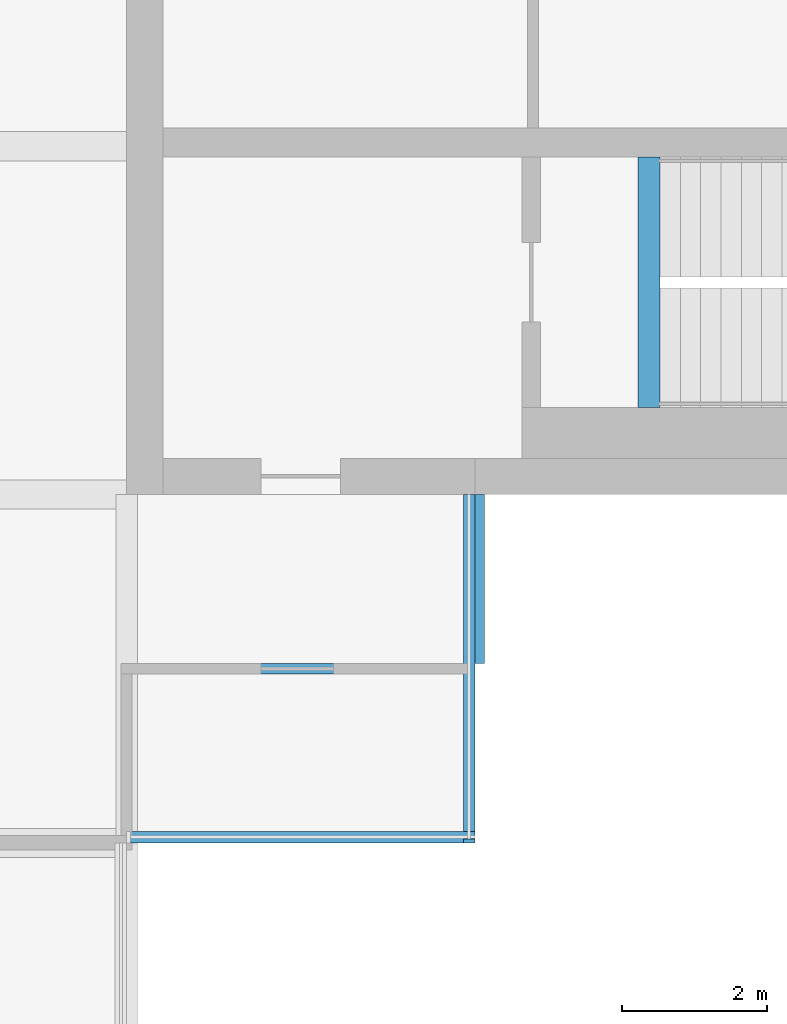
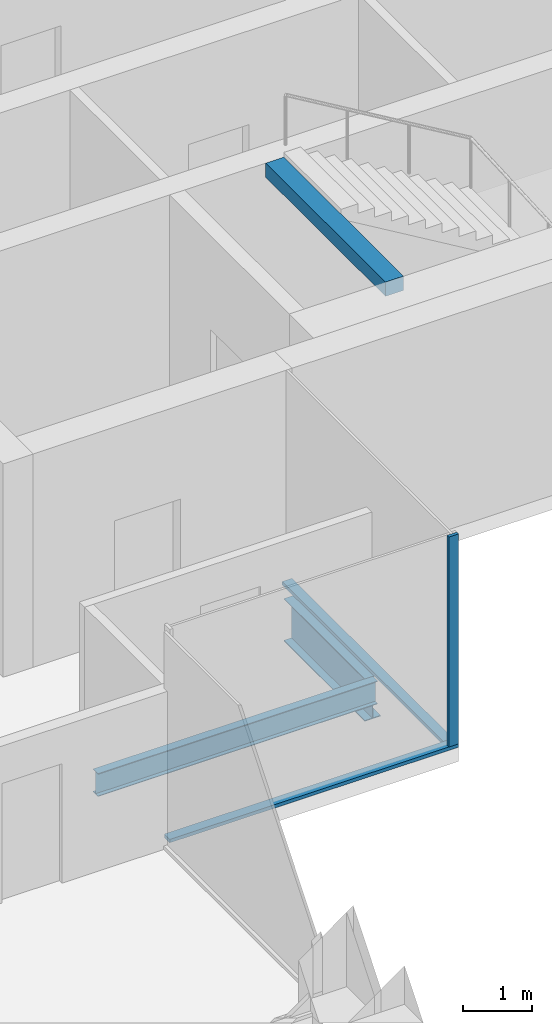
# One storey, part 4 of 11: 3 beams, 3 members, 2 elements without a shape of their own.
"""IFC4 building model written with IfcOpenShell, lengths in metres."""

from ifc_helpers import new_model, si_unit, direction, frame, origin, origin_2d, place, context, subcontext, project, spatial, rectangle, i_section, extrude, material, material_profile, profile_set, type_object, element, aggregate, save


model = new_model("IFC4")

# Units and contexts
model_context = context("Model", 3, precision=1e-05, world=origin(), true_north=direction((0.0, 1.0)))
body_context = subcontext(model_context, "Body", "Model", "MODEL_VIEW")
ifc_project = project(units=[si_unit("LENGTHUNIT", "METRE"), si_unit("AREAUNIT", "SQUARE_METRE"), si_unit("VOLUMEUNIT", "CUBIC_METRE"), si_unit("PLANEANGLEUNIT", "RADIAN"), si_unit("MASSUNIT", "GRAM", prefix="KILO")], contexts=[model_context])

# Site, building, storey
site_placement = place(None, origin())
site = spatial("IfcSite", under=ifc_project, at=site_placement, CompositionType="ELEMENT")
building_placement = place(site_placement, origin())
building = spatial("IfcBuilding", under=site, at=building_placement, Name="Baori Bourse Tower", CompositionType="ELEMENT")
storey_placement = place(building_placement, frame((0.0, 0.0, 358.300048828125)))
storey = spatial("IfcBuildingStorey", under=building, at=storey_placement, Name="L80", CompositionType="ELEMENT", Elevation=358.300048828125)

# Curtain wall, members
ifc_material_1 = material(Name="Pale anodised aluminium", Category="aluminium")
curtain_wall_type = type_object("IfcCurtainWallType", Name="CW3 Curtain wall", PredefinedType="NOTDEFINED", material=ifc_material_1)
curtain_wall_1_placement = place(storey_placement, origin())
curtain_wall_1 = element("IfcCurtainWall", 1, at=curtain_wall_1_placement, inside=storey, type_object=curtain_wall_type, Name="Curtain wall CW3 L80 1", PredefinedType="NOTDEFINED")
ifc_material_2 = material(Name="Pale anodised aluminium", Category="aluminium")
ifc_material_profile_1 = material_profile(ifc_material_2, rectangle(XDim=0.159912109375, YDim=0.050048828125, at=origin_2d()), Name="Mullion 50x160")
ifc_profile_set_1 = profile_set([ifc_material_profile_1], Name="Pale anodised aluminium")
member_type_1 = type_object("IfcMemberType", Name="CW3 Curtain wall mullion", PredefinedType="MULLION", material=ifc_profile_set_1)
member_1_placement = place(storey_placement, frame((43.1201171875, 4.824951171875, 0.06005859375), z_axis=(0.0, 0.0, 1.0), x_axis=(-1.0, 0.0, 0.0)))
member_1 = element("IfcMember", 2, at=member_1_placement, type_object=member_type_1, Name="Curtain wall CW3 mullion", PredefinedType="MULLION", context=body_context, shape_type="SweptSolid", body=[
    extrude(rectangle(XDim=0.159912109375, YDim=0.050048828125, at=origin_2d()), origin(), (0.0, 0.0, 1.0), 3.68994140625),
])
ifc_material_3 = material(Name="Pale anodised aluminium", Category="aluminium")
ifc_material_profile_2 = material_profile(ifc_material_3, rectangle(XDim=0.159912109375, YDim=0.06005859375, at=origin_2d()), Name="Transom 60x160")
ifc_profile_set_2 = profile_set([ifc_material_profile_2], Name="Pale anodised aluminium")
member_type_2 = type_object("IfcMemberType", Name="CW3 Curtain wall transom", PredefinedType="USERDEFINED", material=ifc_profile_set_2)
member_2_placement = place(storey_placement, frame((43.1201171875, 4.800048828125, 0.030029296875), z_axis=(0.0, 1.0, 0.0), x_axis=(-1.0, 0.0, 0.0)))
member_2 = element("IfcMember", 3, at=member_2_placement, type_object=member_type_2, Name="Curtain wall CW3 sill rail", ObjectType="TRANSOM", PredefinedType="USERDEFINED", context=body_context, shape_type="SweptSolid", body=[
    extrude(rectangle(XDim=0.159912109375, YDim=0.06005859375, at=origin_2d()), origin(), (0.0, 0.0, 1.0), 4.800048828125),
])
aggregate(curtain_wall_1, [member_2, member_1])

# Curtain wall, member
curtain_wall_2_placement = place(storey_placement, origin())
curtain_wall_2 = element("IfcCurtainWall", 4, at=curtain_wall_2_placement, inside=storey, type_object=curtain_wall_type, Name="Curtain wall CW3 L80 16", PredefinedType="NOTDEFINED")
member_3_placement = place(storey_placement, frame((38.39990234375, 4.8798828125, 0.030029296875), z_axis=(1.0, 0.0, 0.0), x_axis=(0.0, 1.0, 0.0)))
member_3 = element("IfcMember", 5, at=member_3_placement, type_object=member_type_2, Name="Curtain wall CW3 sill rail", ObjectType="TRANSOM", PredefinedType="USERDEFINED", context=body_context, shape_type="SweptSolid", body=[
    extrude(rectangle(XDim=0.159912109375, YDim=0.06005859375, at=origin_2d()), origin(), (0.0, 0.0, 1.0), 4.800048828125),
])
aggregate(curtain_wall_2, [member_3])

# Beams
ifc_material_4 = material(Name="Steel A992 Gr 50", Category="steel")
ifc_material_profile_3 = material_profile(ifc_material_4, i_section(OverallWidth=0.26416015625, OverallDepth=0.749267578125, WebThickness=0.011962890625, FlangeThickness=0.015380859375, at=origin_2d()), Name="W30x90")
ifc_profile_set_3 = profile_set([ifc_material_profile_3], Name="Steel A992 Gr 50")
beam_type_1 = type_object("IfcBeamType", Name="Core bracket W30x90", PredefinedType="BEAM", material=ifc_profile_set_3)
beam_1_placement = place(storey_placement, frame((43.199951171875, 7.270263671875, -0.624755859375), z_axis=(0.0, 1.0, 0.0), x_axis=(-1.0, 0.0, 0.0)))
element("IfcBeam", 6, at=beam_1_placement, inside=storey, type_object=beam_type_1, Name="Core bracket L80", PredefinedType="BEAM", context=body_context, shape_type="SweptSolid", body=[
    extrude(i_section(OverallWidth=0.26416015625, OverallDepth=0.749267578125, WebThickness=0.011962890625, FlangeThickness=0.015380859375, at=origin_2d()), origin(), (0.0, 0.0, 1.0), 2.329833984375),
])
ifc_material_5 = material(Name="Concrete f'c 50 MPa", Category="concrete")
ifc_material_profile_4 = material_profile(ifc_material_5, rectangle(XDim=0.300048828125, YDim=0.25, at=origin_2d()), Name="RC 300x250")
ifc_profile_set_4 = profile_set([ifc_material_profile_4], Name="Concrete f'c 50 MPa")
beam_type_2 = type_object("IfcBeamType", Name="Stair nib beam RC 300x250", PredefinedType="BEAM", material=ifc_profile_set_4)
beam_2_placement = place(storey_placement, frame((45.60009765625, 10.800048828125, 3.625), z_axis=(0.0, 1.0, 0.0), x_axis=(-1.0, 0.0, 0.0)))
element("IfcBeam", 7, at=beam_2_placement, inside=storey, type_object=beam_type_2, Name="Stair EA nib beam L81", PredefinedType="BEAM", context=body_context, shape_type="SweptSolid", body=[
    extrude(rectangle(XDim=0.300048828125, YDim=0.25, at=origin_2d()), origin(), (0.0, 0.0, 1.0), 3.449951171875),
])
ifc_material_6 = material(Name="Steel A992 Gr 50", Category="steel")
ifc_material_profile_5 = material_profile(ifc_material_6, i_section(OverallWidth=0.140380859375, OverallDepth=0.40380859375, WebThickness=0.007080078125, FlangeThickness=0.01123046875, at=origin_2d()), Name="W16x31")
ifc_profile_set_5 = profile_set([ifc_material_profile_5], Name="Steel A992 Gr 50")
beam_type_3 = type_object("IfcBeamType", Name="Trimmer beam W16x31", PredefinedType="BEAM", material=ifc_profile_set_5)
beam_3_placement = place(storey_placement, frame((38.5498046875, 7.199951171875, -0.451904296875), z_axis=(1.0, 0.0, 0.0), x_axis=(0.0, 1.0, 0.0)))
element("IfcBeam", 8, at=beam_3_placement, inside=storey, type_object=beam_type_3, Name="Trimmer beam L80", PredefinedType="BEAM", context=body_context, shape_type="SweptSolid", body=[
    extrude(i_section(OverallWidth=0.140380859375, OverallDepth=0.40380859375, WebThickness=0.007080078125, FlangeThickness=0.01123046875, at=origin_2d()), origin(), (0.0, 0.0, 1.0), 4.650146484375),
])

save(model, "model.ifc")
